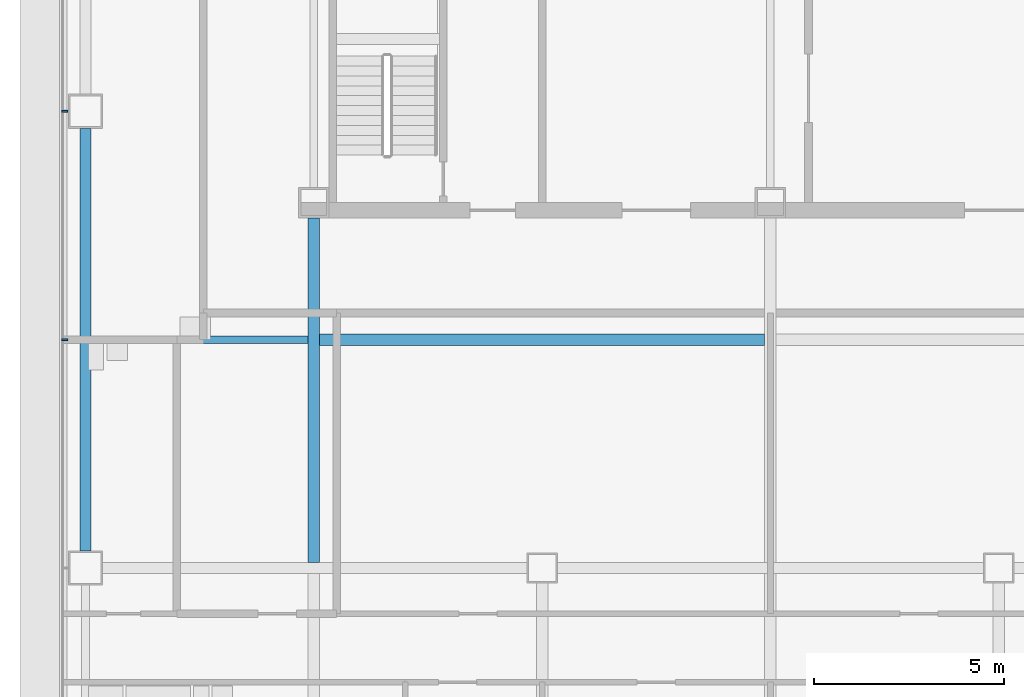
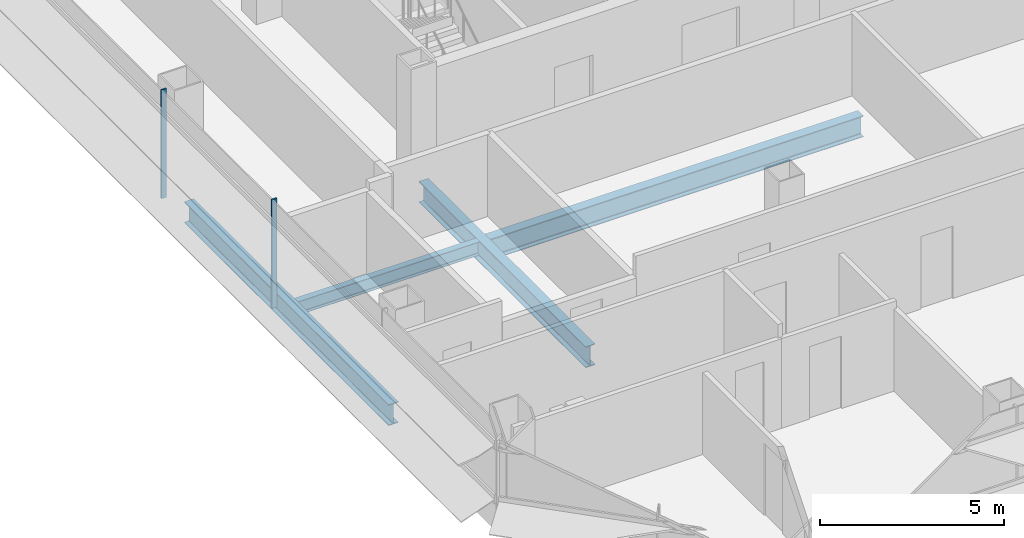
# One storey, part 4 of 27: 4 beams, 2 members, 1 element without a shape of its own.
"""IFC4 building model written with IfcOpenShell, lengths in metres."""

import ifcopenshell
import ifcopenshell.guid

model = None  # the IFC model being written
_history = None  # IfcOwnerHistory: only IFC2X3 demands one
_inside = {}  # id of a spatial element -> (the spatial element, [elements in it])
_under = {}  # id of a project, library or spatial element -> (it, [spatial elements below it])
_declared = {}  # id of a project -> (the project, [libraries it declares])
_typed = {}  # id of a type object -> (the type object, [elements of that type])
_made_of = {}  # id of a material, layer set ... -> (it, [elements and type objects made of it])


def new_model(schema):
    """Start an empty IFC model of exactly this schema.

    Asked for "IFC4X3", IfcOpenShell would pick the latest addendum, in which some entities
    have other attributes; the version numbers below select the first issue.
    IFC2X3 requires an IfcOwnerHistory on every rooted entity: one is made here for all.
    """
    global model, _history
    if schema == "IFC4X3":
        model = ifcopenshell.file(schema_version=(4, 3, 0, 0))
    else:
        model = ifcopenshell.file(schema=schema)
    _inside.clear()
    _under.clear()
    _declared.clear()
    _typed.clear()
    _made_of.clear()
    _history = None
    if model.schema == "IFC2X3":
        org = make("IfcOrganization", Name="unknown")
        user = make(
            "IfcPersonAndOrganization",
            ThePerson=make("IfcPerson", FamilyName="unknown"),
            TheOrganization=org,
        )
        app = make(
            "IfcApplication",
            ApplicationDeveloper=org,
            Version="unknown",
            ApplicationFullName="unknown",
            ApplicationIdentifier="unknown",
        )
        _history = make(
            "IfcOwnerHistory",
            OwningUser=user,
            OwningApplication=app,
            ChangeAction="ADDED",
            CreationDate=0,
        )
    return model


def make(cls, **values):
    """One entity of the class cls with the attributes given. An attribute that is None is left unset."""
    return model.create_entity(
        cls, **{name: value for name, value in values.items() if value is not None}
    )


def rooted(cls, **values):
    """An entity with a GlobalId (a new one), such as an element, a storey or a relation."""
    return make(cls, GlobalId=ifcopenshell.guid.new(), OwnerHistory=_history, **values)


def si_unit(unit_type, name, prefix=None):
    """IfcSIUnit, for example si_unit("LENGTHUNIT", "METRE", prefix="MILLI")."""
    return make("IfcSIUnit", UnitType=unit_type, Prefix=prefix, Name=name)


def assignment(units):
    """IfcUnitAssignment: the units of a project."""
    return None if units is None else make("IfcUnitAssignment", Units=units)


def point(xyz):
    """IfcCartesianPoint."""
    return None if xyz is None else make("IfcCartesianPoint", Coordinates=xyz)


def direction(xyz):
    """IfcDirection."""
    return None if xyz is None else make("IfcDirection", DirectionRatios=xyz)


def frame(location, z_axis=None, x_axis=None):
    """IfcAxis2Placement3D, a coordinate frame: its origin and axes. An axis left out is left unset."""
    return make(
        "IfcAxis2Placement3D",
        Location=point(location),
        Axis=direction(z_axis),
        RefDirection=direction(x_axis),
    )


def frame_2d(location, x_axis=None):
    """IfcAxis2Placement2D, a coordinate frame in the plane: its origin and x axis."""
    return make(
        "IfcAxis2Placement2D", Location=point(location), RefDirection=direction(x_axis)
    )


def origin():
    """The frame at (0, 0, 0) with its axes left unset."""
    return frame((0.0, 0.0, 0.0))


def origin_2d():
    """The frame at (0, 0) in the plane with its x axis left unset."""
    return frame_2d((0.0, 0.0))


def place(relative_to, where):
    """IfcLocalPlacement: puts the frame where relative to a parent placement (None: the world)."""
    return make(
        "IfcLocalPlacement", PlacementRelTo=relative_to, RelativePlacement=where
    )


def context(
    kind, dimensions, precision=None, world=None, true_north=None, identifier=None
):
    """IfcGeometricRepresentationContext, for example the 3D "Model" context."""
    return make(
        "IfcGeometricRepresentationContext",
        ContextIdentifier=identifier,
        ContextType=kind,
        CoordinateSpaceDimension=dimensions,
        Precision=precision,
        WorldCoordinateSystem=world,
        TrueNorth=true_north,
    )


def subcontext(parent, identifier, kind, view, scale=None):
    """IfcGeometricRepresentationSubContext, for example "Body" below "Model"."""
    return make(
        "IfcGeometricRepresentationSubContext",
        ContextIdentifier=identifier,
        ContextType=kind,
        ParentContext=parent,
        TargetScale=scale,
        TargetView=view,
    )


def project(units=None, contexts=None):
    """IfcProject with its units and contexts."""
    return rooted(
        "IfcProject",
        Name="project",
        RepresentationContexts=contexts,
        UnitsInContext=assignment(units),
    )


def spatial(cls, under=None, at=None, **own):
    """A site, building, storey or space (cls), placed at a placement, below another one or the project."""
    s = rooted(cls, ObjectPlacement=at, **own)
    if under is not None:
        _under.setdefault(under.id(), (under, []))[1].append(s)
    return s


def profile(cls, at=None, kind="AREA", **sizes):
    """A parametric profile (cls). Its sizes go by their IFC names, for example OverallWidth=200.0."""
    return make(cls, ProfileType=kind, Position=at, **sizes)


def rectangle(**sizes):
    """IfcRectangleProfileDef."""
    return profile("IfcRectangleProfileDef", **sizes)


def i_section(**sizes):
    """IfcIShapeProfileDef."""
    return profile("IfcIShapeProfileDef", **sizes)


def extrude(swept, where, along, depth):
    """IfcExtrudedAreaSolid: the profile swept, set in the frame where, extruded along a direction by depth."""
    return make(
        "IfcExtrudedAreaSolid",
        SweptArea=swept,
        Position=where,
        ExtrudedDirection=direction(along),
        Depth=depth,
    )


def shape(context_of_items, identifier, shape_type, items):
    """IfcShapeRepresentation: the items that make up one representation, for example the "Body"."""
    return make(
        "IfcShapeRepresentation",
        ContextOfItems=context_of_items,
        RepresentationIdentifier=identifier,
        RepresentationType=shape_type,
        Items=items,
    )


def material(Name=None, Category=None):
    """IfcMaterial."""
    return make("IfcMaterial", Name=Name, Category=Category)


def material_profile(
    of_material, cross_section, Name=None, Category=None, Priority=None
):
    """IfcMaterialProfile: a cross section and its material."""
    return make(
        "IfcMaterialProfile",
        Name=Name,
        Material=of_material,
        Profile=cross_section,
        Priority=Priority,
        Category=Category,
    )


def profile_set(profiles, Name=None, composite=None):
    """IfcMaterialProfileSet."""
    return make(
        "IfcMaterialProfileSet",
        Name=Name,
        MaterialProfiles=profiles,
        CompositeProfile=composite,
    )


def made_of(thing, what):
    """Note that an element or type object is made of a material, layer set ...; save() writes the relation."""
    if what is not None:
        _made_of.setdefault(what.id(), (what, []))[1].append(thing)
    return thing


def type_object(cls, material=None, **own):
    """A type object (cls), such as IfcWallType, which elements share."""
    return made_of(rooted(cls, **own), material)


def element(
    cls,
    number,
    at=None,
    inside=None,
    cuts=None,
    type_object=None,
    material=None,
    context=None,
    identifier="Body",
    shape_type=None,
    held_by="IfcProductDefinitionShape",
    body=None,
    shapes=None,
    **own,
):
    """One element of the class cls, such as IfcWall. Its Tag is "e" and its number.

    at: its placement. inside: the storey or other place that contains it. cuts: it is an
    opening in that element (IfcRelVoidsElement). A single representation is given by context,
    identifier, shape_type and body (its items); several are given by shapes. held_by: the class
    of the entity that holds the representations. save() writes the other relations.
    """
    e = rooted(cls, Tag="e%d" % number, ObjectPlacement=at, **own)
    if body is not None:
        shapes = [shape(context, identifier, shape_type, body)]
    if shapes is not None:
        e.Representation = make(held_by, Representations=shapes)
    if inside is not None:
        _inside.setdefault(inside.id(), (inside, []))[1].append(e)
    if cuts is not None:
        rooted(
            "IfcRelVoidsElement", RelatingBuildingElement=cuts, RelatedOpeningElement=e
        )
    if type_object is not None:
        _typed.setdefault(type_object.id(), (type_object, []))[1].append(e)
    return made_of(e, material)


def aggregate(whole, parts):
    """IfcRelAggregates: a whole, such as a stair, and the parts it consists of."""
    return rooted("IfcRelAggregates", RelatingObject=whole, RelatedObjects=parts)


def save(model, path):
    """Write the relations noted so far, then the file.

    IfcRelAggregates (storeys below a building ...), IfcRelContainedInSpatialStructure (elements
    in a storey), IfcRelDefinesByType, IfcRelAssociatesMaterial and IfcRelDeclares: one each for
    every whole, place, type object, material and project.
    """
    for whole, parts in _under.values():
        aggregate(whole, parts)
    for where, things in _inside.values():
        rooted(
            "IfcRelContainedInSpatialStructure",
            RelatedElements=things,
            RelatingStructure=where,
        )
    for kind, things in _typed.values():
        rooted("IfcRelDefinesByType", RelatedObjects=things, RelatingType=kind)
    for what, things in _made_of.values():
        rooted("IfcRelAssociatesMaterial", RelatedObjects=things, RelatingMaterial=what)
    for by, libraries in _declared.values():
        rooted("IfcRelDeclares", RelatingContext=by, RelatedDefinitions=libraries)
    model.write(path)


model = new_model("IFC4")

# Units and contexts
model_context = context("Model", 3, precision=1e-05, world=origin(), true_north=direction((0.0, 1.0)))
body_context = subcontext(model_context, "Body", "Model", "MODEL_VIEW")
ifc_project = project(units=[si_unit("LENGTHUNIT", "METRE"), si_unit("AREAUNIT", "SQUARE_METRE"), si_unit("VOLUMEUNIT", "CUBIC_METRE"), si_unit("PLANEANGLEUNIT", "RADIAN"), si_unit("MASSUNIT", "GRAM", prefix="KILO")], contexts=[model_context])

# Site, building, storey
site_placement = place(None, origin())
site = spatial("IfcSite", under=ifc_project, at=site_placement, CompositionType="ELEMENT")
building_placement = place(site_placement, origin())
building = spatial("IfcBuilding", under=site, at=building_placement, Name="Sorahane Residences", CompositionType="ELEMENT")
storey_placement = place(building_placement, frame((0.0, 0.0, 53.39990234375)))
storey = spatial("IfcBuildingStorey", under=building, at=storey_placement, Name="L09", CompositionType="ELEMENT", Elevation=53.39990234375)

# Curtain wall, members
ifc_material_1 = material(Name="Dark low-e glass and black anodised aluminium", Category="aluminium")
curtain_wall_type = type_object("IfcCurtainWallType", Name="Curtain wall CW-1 Typical unitised wall", PredefinedType="NOTDEFINED", material=ifc_material_1)
curtain_wall_placement = place(storey_placement, origin())
curtain_wall = element("IfcCurtainWall", 1, at=curtain_wall_placement, inside=storey, type_object=curtain_wall_type, Name="CW-1 curtain wall L09 W1", PredefinedType="NOTDEFINED")
ifc_material_2 = material(Name="Black anodised aluminium", Category="aluminium")
ifc_material_profile_1 = material_profile(ifc_material_2, rectangle(XDim=0.159912109375, YDim=0.050048828125, at=origin_2d()), Name="Curtain wall mullion CW-1 black anodised aluminium 50x160")
ifc_profile_set_1 = profile_set([ifc_material_profile_1], Name="Black anodised aluminium")
member_type = type_object("IfcMemberType", Name="Curtain wall mullion CW-1 black anodised aluminium 50x160", PredefinedType="MULLION", material=ifc_profile_set_1)
member_1_placement = place(storey_placement, frame((-0.5400390625, 24.0, -0.179931640625), z_axis=(0.0, 0.0, 1.0), x_axis=(-1.0, 0.0, 0.0)))
member_1 = element("IfcMember", 2, at=member_1_placement, type_object=member_type, Name="CW-1 mullion L09 W1.4", PredefinedType="MULLION", context=body_context, shape_type="SweptSolid", body=[
    extrude(rectangle(XDim=0.159912109375, YDim=0.050048828125, at=origin_2d()), origin(), (0.0, 0.0, 1.0), 3.60009765625),
])
member_2_placement = place(storey_placement, frame((-0.5400390625, 18.0, -0.179931640625), z_axis=(0.0, 0.0, 1.0), x_axis=(-1.0, 0.0, 0.0)))
member_2 = element("IfcMember", 3, at=member_2_placement, type_object=member_type, Name="CW-1 mullion L09 W1.5", PredefinedType="MULLION", context=body_context, shape_type="SweptSolid", body=[
    extrude(rectangle(XDim=0.159912109375, YDim=0.050048828125, at=origin_2d()), origin(), (0.0, 0.0, 1.0), 3.60009765625),
])
aggregate(curtain_wall, [member_1, member_2])

# Beams
ifc_material_3 = material(Name="Steel Q355B", Category="steel")
ifc_material_profile_2 = material_profile(ifc_material_3, i_section(OverallWidth=0.199951171875, OverallDepth=0.449951171875, WebThickness=0.009033203125, FlangeThickness=0.013916015625, FilletRadius=0.02001953125, at=origin_2d()), Name="HN 450x200x9x14")
ifc_profile_set_2 = profile_set([ifc_material_profile_2], Name="Steel Q355B")
beam_type_1 = type_object("IfcBeamType", Name="Steel floor beam HN 450x200x9x14 Q355B", PredefinedType="BEAM", material=ifc_profile_set_2)
beam_1_placement = place(storey_placement, frame((0.14990234375, 18.0, -0.40478515625), z_axis=(1.0, 0.0, 0.0), x_axis=(0.0, 1.0, 0.0)))
element("IfcBeam", 4, at=beam_1_placement, inside=storey, type_object=beam_type_1, Name="Beam L09 070", PredefinedType="BEAM", context=body_context, shape_type="SweptSolid", body=[
    extrude(i_section(OverallWidth=0.199951171875, OverallDepth=0.449951171875, WebThickness=0.009033203125, FlangeThickness=0.013916015625, FilletRadius=0.02001953125, at=origin_2d()), origin(), (0.0, 0.0, 1.0), 5.7001953125),
])
ifc_material_4 = material(Name="Steel Q355B", Category="steel")
ifc_material_profile_3 = material_profile(ifc_material_4, i_section(OverallWidth=0.300048828125, OverallDepth=0.699951171875, WebThickness=0.012939453125, FlangeThickness=0.02392578125, FilletRadius=0.028076171875, at=origin_2d()), Name="HN 700x300x13x24")
ifc_profile_set_3 = profile_set([ifc_material_profile_3], Name="Steel Q355B")
beam_type_2 = type_object("IfcBeamType", Name="Steel floor beam HN 700x300x13x24 Q355B", PredefinedType="BEAM", material=ifc_profile_set_3)
beam_2_placement = place(storey_placement, frame((0.0, 12.449951171875, -0.52978515625), z_axis=(0.0, 1.0, 0.0), x_axis=(-1.0, 0.0, 0.0)))
element("IfcBeam", 5, at=beam_2_placement, inside=storey, type_object=beam_type_2, Name="Beam L09 018", PredefinedType="BEAM", context=body_context, shape_type="SweptSolid", body=[
    extrude(i_section(OverallWidth=0.300048828125, OverallDepth=0.699951171875, WebThickness=0.012939453125, FlangeThickness=0.02392578125, FilletRadius=0.028076171875, at=origin_2d()), origin(), (0.0, 0.0, 1.0), 11.10009765625),
])
beam_3_placement = place(storey_placement, frame((6.0, 12.14990234375, -0.52978515625), z_axis=(0.0, 1.0, 0.0), x_axis=(-1.0, 0.0, 0.0)))
element("IfcBeam", 6, at=beam_3_placement, inside=storey, type_object=beam_type_2, Name="Beam L09 022", PredefinedType="BEAM", context=body_context, shape_type="SweptSolid", body=[
    extrude(i_section(OverallWidth=0.300048828125, OverallDepth=0.699951171875, WebThickness=0.012939453125, FlangeThickness=0.02392578125, FilletRadius=0.028076171875, at=origin_2d()), origin(), (0.0, 0.0, 1.0), 9.050048828125),
])
beam_4_placement = place(storey_placement, frame((6.14990234375, 18.0, -0.52978515625), z_axis=(1.0, 0.0, 0.0), x_axis=(0.0, 1.0, 0.0)))
element("IfcBeam", 7, at=beam_4_placement, inside=storey, type_object=beam_type_2, Name="Beam L09 071", PredefinedType="BEAM", context=body_context, shape_type="SweptSolid", body=[
    extrude(i_section(OverallWidth=0.300048828125, OverallDepth=0.699951171875, WebThickness=0.012939453125, FlangeThickness=0.02392578125, FilletRadius=0.028076171875, at=origin_2d()), origin(), (0.0, 0.0, 1.0), 11.7001953125),
])

save(model, "model.ifc")
